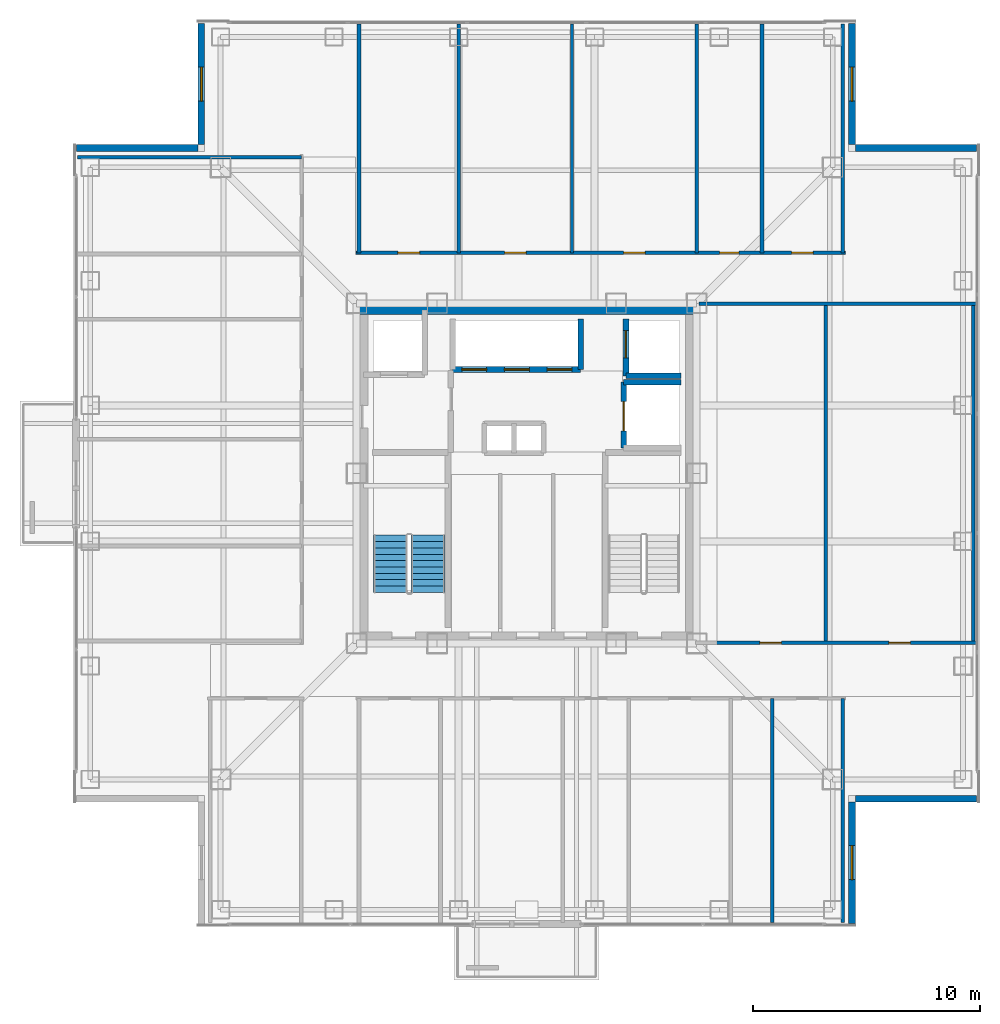
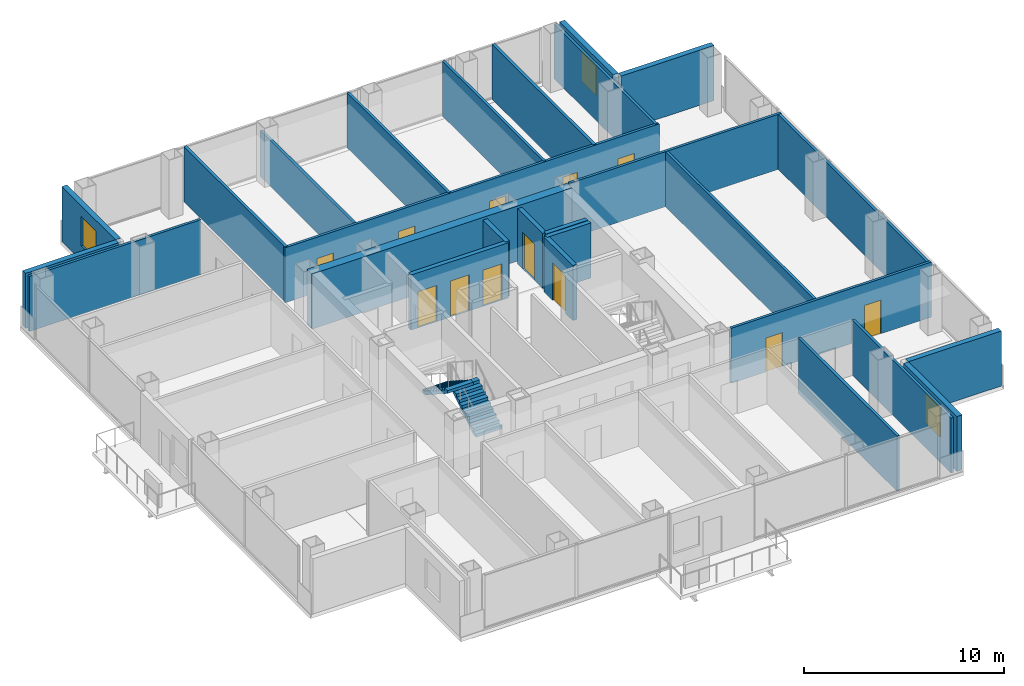
# One storey, part 12 of 16: 27 walls, 12 doors, 3 windows, 2 stair flights, 15 openings, 1 element without a shape of its own.
"""IFC4 building model written with IfcOpenShell, lengths in metres."""

from ifc_helpers import new_model, si_unit, direction, frame, frame_2d, origin, place, context, subcontext, project, spatial, polyline, rectangle, outline, extrude, material, layer, layer_set, type_object, element, fill, aggregate, save


model = new_model("IFC4")

# Units and contexts
model_context = context("Model", 3, precision=1e-05, world=origin(), true_north=direction((0.0, 1.0)))
body_context = subcontext(model_context, "Body", "Model", "MODEL_VIEW")
ifc_project = project(units=[si_unit("LENGTHUNIT", "METRE"), si_unit("AREAUNIT", "SQUARE_METRE"), si_unit("VOLUMEUNIT", "CUBIC_METRE"), si_unit("PLANEANGLEUNIT", "RADIAN"), si_unit("MASSUNIT", "GRAM", prefix="KILO")], contexts=[model_context])

# Site, building, storey
site_placement = place(None, origin())
site = spatial("IfcSite", under=ifc_project, at=site_placement, CompositionType="ELEMENT")
building_placement = place(site_placement, origin())
building = spatial("IfcBuilding", under=site, at=building_placement, Name="Trevonay Congress Spire", CompositionType="ELEMENT")
storey_placement = place(building_placement, frame((0.0, 0.0, 177.0)))
storey = spatial("IfcBuildingStorey", under=building, at=storey_placement, Name="L45", CompositionType="ELEMENT", Elevation=177.0)

# Wall
ifc_material_1 = material(Name="Concrete C50/60", Category="concrete")
ifc_layer_1 = layer(ifc_material_1, 0.5, Name="Concrete C50/60")
ifc_layer_set_1 = layer_set([ifc_layer_1], Name="Concrete C50/60")
wall_type_1 = type_object("IfcWallType", Name="WAL-CORE-500", PredefinedType="SHEAR", material=ifc_layer_set_1)
wall_1_placement = place(storey_placement, frame((-7.5, 7.25, 0.0), z_axis=(0.0, 0.0, 1.0), x_axis=(1.0, 0.0, 0.0)))
element("IfcWall", 1, at=wall_1_placement, inside=storey, type_object=wall_type_1, Name="L45 North structural core shear wall", PredefinedType="SHEAR", context=body_context, shape_type="SweptSolid", body=[
    extrude(rectangle(XDim=15.0, YDim=0.5, at=frame_2d((7.5, 0.0))), origin(), (0.0, 0.0, 1.0), 3.360107421875),
])

# Wall, openings, doors
ifc_material_2 = material(Name="Concrete C40/50", Category="concrete")
ifc_layer_2 = layer(ifc_material_2, 0.14990234375, Name="Concrete C40/50")
ifc_layer_set_2 = layer_set([ifc_layer_2], Name="Concrete C40/50")
wall_type_2 = type_object("IfcWallType", Name="WAL-CORR-150", PredefinedType="PARTITIONING", material=ifc_layer_set_2)
wall_2_placement = place(storey_placement, frame((-7.52001953125, 9.72998046875, 0.0), z_axis=(0.0, 0.0, 1.0), x_axis=(1.0, 0.0, 0.0)))
wall_2 = element("IfcWall", 2, at=wall_2_placement, inside=storey, type_object=wall_type_2, Name="L45 interior wall WP-L45N-COR", PredefinedType="PARTITIONING", context=body_context, shape_type="SweptSolid", body=[
    extrude(rectangle(XDim=21.590087890625, YDim=0.14990234375, at=frame_2d((10.794921875, 0.0))), origin(), (0.0, 0.0, 1.0), 3.360107421875),
])
opening_1_placement = place(wall_2_placement, frame((1.844970703125, 0.0, 0.0)))
opening_1 = element("IfcOpeningElement", 3, at=opening_1_placement, cuts=wall_2, Name="Opening D07", PredefinedType="OPENING", context=body_context, shape_type="SweptSolid", body=[
    extrude(rectangle(XDim=0.949951171875, YDim=2.06005859375, at=frame_2d((0.47509765625, 1.030029296875))), frame((0.0, 0.0849609375, 0.0), z_axis=(0.0, -1.0, 0.0), x_axis=(1.0, 0.0, 0.0)), (0.0, 0.0, 1.0), 0.169921875),
])
opening_2_placement = place(wall_2_placement, frame((6.544921875, 0.0, 0.0)))
opening_2 = element("IfcOpeningElement", 4, at=opening_2_placement, cuts=wall_2, Name="Opening D07", PredefinedType="OPENING", context=body_context, shape_type="SweptSolid", body=[
    extrude(rectangle(XDim=0.949951171875, YDim=2.06005859375, at=frame_2d((0.47509765625, 1.030029296875))), frame((0.0, 0.0849609375, 0.0), z_axis=(0.0, -1.0, 0.0), x_axis=(1.0, 0.0, 0.0)), (0.0, 0.0, 1.0), 0.169921875),
])
opening_3_placement = place(wall_2_placement, frame((11.794921875, 0.0, 0.0)))
opening_3 = element("IfcOpeningElement", 5, at=opening_3_placement, cuts=wall_2, Name="Opening D07", PredefinedType="OPENING", context=body_context, shape_type="SweptSolid", body=[
    extrude(rectangle(XDim=0.949951171875, YDim=2.06005859375, at=frame_2d((0.47509765625, 1.030029296875))), frame((0.0, 0.0849609375, 0.0), z_axis=(0.0, -1.0, 0.0), x_axis=(1.0, 0.0, 0.0)), (0.0, 0.0, 1.0), 0.169921875),
])
opening_4_placement = place(wall_2_placement, frame((16.034912109375, 0.0, 0.0)))
opening_4 = element("IfcOpeningElement", 6, at=opening_4_placement, cuts=wall_2, Name="Opening D10", PredefinedType="OPENING", context=body_context, shape_type="SweptSolid", body=[
    extrude(rectangle(XDim=0.85009765625, YDim=2.050048828125, at=frame_2d((0.425048828125, 1.02490234375))), frame((0.0, 0.0849609375, 0.0), z_axis=(0.0, -1.0, 0.0), x_axis=(1.0, 0.0, 0.0)), (0.0, 0.0, 1.0), 0.169921875),
])
opening_5_placement = place(wall_2_placement, frame((19.2099609375, 0.0, 0.0)))
opening_5 = element("IfcOpeningElement", 7, at=opening_5_placement, cuts=wall_2, Name="Opening D07", PredefinedType="OPENING", context=body_context, shape_type="SweptSolid", body=[
    extrude(rectangle(XDim=0.949951171875, YDim=2.06005859375, at=frame_2d((0.47509765625, 1.030029296875))), frame((0.0, 0.0849609375, 0.0), z_axis=(0.0, -1.0, 0.0), x_axis=(1.0, 0.0, 0.0)), (0.0, 0.0, 1.0), 0.169921875),
])
ifc_material_3 = material(Name="Pale Anodised Aluminium EN AW-6063-T6", Category="aluminium")
door_type_1 = type_object("IfcDoorType", Name="DOR-OFFICE-95", OperationType="NOTDEFINED", PredefinedType="DOOR", material=ifc_material_3)
door_1_placement = place(opening_1_placement, origin())
door_1 = element("IfcDoor", 8, at=door_1_placement, inside=storey, type_object=door_type_1, Name="L45 Tax Counsel Office 8 Door", OperationType="SINGLE_SWING_RIGHT", OverallHeight=2.06005859375, OverallWidth=0.949951171875, PredefinedType="DOOR", context=body_context, shape_type="SweptSolid", body=[
    extrude(rectangle(XDim=0.949951171875, YDim=2.06005859375, at=frame_2d((0.47509765625, 1.030029296875))), frame((0.0, 0.02490234375, 0.0), z_axis=(0.0, -1.0, 0.0), x_axis=(1.0, 0.0, 0.0)), (0.0, 0.0, 1.0), 0.050048828125),
])
fill(opening_1, door_1)
door_2_placement = place(opening_2_placement, origin())
door_2 = element("IfcDoor", 9, at=door_2_placement, inside=storey, type_object=door_type_1, Name="L45 Compliance Office 9 Door", OperationType="SINGLE_SWING_LEFT", OverallHeight=2.06005859375, OverallWidth=0.949951171875, PredefinedType="DOOR", context=body_context, shape_type="SweptSolid", body=[
    extrude(rectangle(XDim=0.949951171875, YDim=2.06005859375, at=frame_2d((0.47509765625, 1.030029296875))), frame((0.0, 0.02490234375, 0.0), z_axis=(0.0, -1.0, 0.0), x_axis=(1.0, 0.0, 0.0)), (0.0, 0.0, 1.0), 0.050048828125),
])
fill(opening_2, door_2)
door_3_placement = place(opening_3_placement, origin())
door_3 = element("IfcDoor", 10, at=door_3_placement, inside=storey, type_object=door_type_1, Name="L45 Billing Office 10 Door", OperationType="SINGLE_SWING_RIGHT", OverallHeight=2.06005859375, OverallWidth=0.949951171875, PredefinedType="DOOR", context=body_context, shape_type="SweptSolid", body=[
    extrude(rectangle(XDim=0.949951171875, YDim=2.06005859375, at=frame_2d((0.47509765625, 1.030029296875))), frame((0.0, 0.02490234375, 0.0), z_axis=(0.0, -1.0, 0.0), x_axis=(1.0, 0.0, 0.0)), (0.0, 0.0, 1.0), 0.050048828125),
])
fill(opening_3, door_3)
door_4_placement = place(opening_5_placement, origin())
door_4 = element("IfcDoor", 11, at=door_4_placement, inside=storey, type_object=door_type_1, Name="L45 Floor Supplies and Copy Room Door", OperationType="SINGLE_SWING_RIGHT", OverallHeight=2.06005859375, OverallWidth=0.949951171875, PredefinedType="DOOR", context=body_context, shape_type="SweptSolid", body=[
    extrude(rectangle(XDim=0.949951171875, YDim=2.06005859375, at=frame_2d((0.47509765625, 1.030029296875))), frame((0.0, 0.02490234375, 0.0), z_axis=(0.0, -1.0, 0.0), x_axis=(1.0, 0.0, 0.0)), (0.0, 0.0, 1.0), 0.050048828125),
])
fill(opening_5, door_4)
door_type_2 = type_object("IfcDoorType", Name="DOR-WC-85", OperationType="NOTDEFINED", PredefinedType="DOOR", material=ifc_material_3)
door_5_placement = place(opening_4_placement, origin())
door_5 = element("IfcDoor", 12, at=door_5_placement, inside=storey, type_object=door_type_2, Name="L45 Female Restroom WC Door", OperationType="SINGLE_SWING_LEFT", OverallHeight=2.050048828125, OverallWidth=0.85009765625, PredefinedType="DOOR", context=body_context, shape_type="SweptSolid", body=[
    extrude(rectangle(XDim=0.85009765625, YDim=2.050048828125, at=frame_2d((0.425048828125, 1.02490234375))), frame((0.0, 0.02490234375, 0.0), z_axis=(0.0, -1.0, 0.0), x_axis=(1.0, 0.0, 0.0)), (0.0, 0.0, 1.0), 0.050048828125),
])
fill(opening_4, door_5)

wall_3_placement = place(storey_placement, frame((8.280029296875, -7.47998046875, 0.0), z_axis=(0.0, 0.0, 1.0), x_axis=(1.0, 0.0, 0.0)))
wall_3 = element("IfcWall", 13, at=wall_3_placement, inside=storey, type_object=wall_type_2, Name="L45 interior wall WP-L45E-COR", PredefinedType="PARTITIONING", context=body_context, shape_type="SweptSolid", body=[
    extrude(rectangle(XDim=11.5400390625, YDim=0.14990234375, at=frame_2d((5.77001953125, 0.0))), origin(), (0.0, 0.0, 1.0), 3.360107421875),
])
opening_6_placement = place(wall_3_placement, frame((2.0048828125, 0.0, 0.0)))
opening_6 = element("IfcOpeningElement", 14, at=opening_6_placement, cuts=wall_3, Name="Opening D07", PredefinedType="OPENING", context=body_context, shape_type="SweptSolid", body=[
    extrude(rectangle(XDim=0.949951171875, YDim=2.06005859375, at=frame_2d((0.47509765625, 1.030029296875))), frame((0.0, 0.0849609375, 0.0), z_axis=(0.0, -1.0, 0.0), x_axis=(1.0, 0.0, 0.0)), (0.0, 0.0, 1.0), 0.169921875),
])
opening_7_placement = place(wall_3_placement, frame((7.695068359375, 0.0, 0.0)))
opening_7 = element("IfcOpeningElement", 15, at=opening_7_placement, cuts=wall_3, Name="Opening D07", PredefinedType="OPENING", context=body_context, shape_type="SweptSolid", body=[
    extrude(rectangle(XDim=0.949951171875, YDim=2.06005859375, at=frame_2d((0.47509765625, 1.030029296875))), frame((0.0, 0.0849609375, 0.0), z_axis=(0.0, -1.0, 0.0), x_axis=(1.0, 0.0, 0.0)), (0.0, 0.0, 1.0), 0.169921875),
])
door_6_placement = place(opening_6_placement, origin())
door_6 = element("IfcDoor", 16, at=door_6_placement, inside=storey, type_object=door_type_1, Name="L45 Chambers Espresso Kitchen Door", OperationType="SINGLE_SWING_LEFT", OverallHeight=2.06005859375, OverallWidth=0.949951171875, PredefinedType="DOOR", context=body_context, shape_type="SweptSolid", body=[
    extrude(rectangle(XDim=0.949951171875, YDim=2.06005859375, at=frame_2d((0.47509765625, 1.030029296875))), frame((0.0, 0.02490234375, 0.0), z_axis=(0.0, -1.0, 0.0), x_axis=(1.0, 0.0, 0.0)), (0.0, 0.0, 1.0), 0.050048828125),
])
fill(opening_6, door_6)
door_7_placement = place(opening_7_placement, origin())
door_7 = element("IfcDoor", 17, at=door_7_placement, inside=storey, type_object=door_type_1, Name="L45 Law Copy Room Door", OperationType="SINGLE_SWING_RIGHT", OverallHeight=2.06005859375, OverallWidth=0.949951171875, PredefinedType="DOOR", context=body_context, shape_type="SweptSolid", body=[
    extrude(rectangle(XDim=0.949951171875, YDim=2.06005859375, at=frame_2d((0.47509765625, 1.030029296875))), frame((0.0, 0.02490234375, 0.0), z_axis=(0.0, -1.0, 0.0), x_axis=(1.0, 0.0, 0.0)), (0.0, 0.0, 1.0), 0.050048828125),
])
fill(opening_7, door_7)

# Wall, opening, window
ifc_material_4 = material(Name="Precast concrete C40/50", Category="concrete")
ifc_layer_3 = layer(ifc_material_4, 0.300048828125, Name="Precast concrete C40/50")
ifc_layer_set_3 = layer_set([ifc_layer_3], Name="Precast concrete C40/50")
wall_type_3 = type_object("IfcWallType", Name="WAL-EXT-PRECAST-300", PredefinedType="SOLIDWALL", material=ifc_layer_set_3)
wall_4_placement = place(storey_placement, frame((14.35009765625, -19.85009765625, 0.0), z_axis=(0.0, 0.0, 1.0), x_axis=(0.0, 1.0, 0.0)))
wall_4 = element("IfcWall", 18, at=wall_4_placement, inside=storey, type_object=wall_type_3, Name="L45 SE re-entrant notch exterior wall 1", PredefinedType="SOLIDWALL", context=body_context, shape_type="SweptSolid", body=[
    extrude(rectangle(XDim=5.35009765625, YDim=0.300048828125, at=frame_2d((2.675048828125, 0.0))), origin(), (0.0, 0.0, 1.0), 3.360107421875),
])
opening_8_placement = place(wall_4_placement, frame((1.925048828125, 0.0, 0.89990234375)))
opening_8 = element("IfcOpeningElement", 19, at=opening_8_placement, cuts=wall_4, Name="Opening WN03", PredefinedType="OPENING", context=body_context, shape_type="SweptSolid", body=[
    extrude(rectangle(XDim=1.5, YDim=1.800048828125, at=frame_2d((0.75, 0.89990234375))), frame((0.0, 0.16015625, 0.0), z_axis=(0.0, -1.0, 0.0), x_axis=(1.0, 0.0, 0.0)), (0.0, 0.0, 1.0), 0.320068359375),
])
ifc_material_5 = material(Name="Insulated Low-E Vision Glass IGU", Category="glass")
window_type = type_object("IfcWindowType", Name="WIN-NOTCH-150X180", PartitioningType="SINGLE_PANEL", PredefinedType="WINDOW", material=ifc_material_5)
window_1_placement = place(opening_8_placement, origin())
window_1 = element("IfcWindow", 20, at=window_1_placement, inside=storey, type_object=window_type, Name="L45 SE corner notch window", OverallHeight=1.800048828125, OverallWidth=1.5, PartitioningType="SINGLE_PANEL", PredefinedType="WINDOW", context=body_context, shape_type="SweptSolid", body=[
    extrude(rectangle(XDim=1.5, YDim=1.800048828125, at=frame_2d((0.75, 0.89990234375))), frame((0.0, 0.030029296875, 0.0), z_axis=(0.0, -1.0, 0.0), x_axis=(1.0, 0.0, 0.0)), (0.0, 0.0, 1.0), 0.06005859375),
])
fill(opening_8, window_1)

# Wall
wall_5_placement = place(storey_placement, frame((19.85009765625, -14.35009765625, 0.0), z_axis=(0.0, 0.0, 1.0), x_axis=(-1.0, 0.0, 0.0)))
element("IfcWall", 21, at=wall_5_placement, inside=storey, type_object=wall_type_3, Name="L45 SE re-entrant notch exterior wall 2", PredefinedType="SOLIDWALL", context=body_context, shape_type="SweptSolid", body=[
    extrude(rectangle(XDim=5.35009765625, YDim=0.300048828125, at=frame_2d((2.675048828125, 0.0))), origin(), (0.0, 0.0, 1.0), 3.360107421875),
])

# Wall, opening, window
wall_6_placement = place(storey_placement, frame((14.35009765625, 19.85009765625, 0.0), z_axis=(0.0, 0.0, 1.0), x_axis=(0.0, -1.0, 0.0)))
wall_6 = element("IfcWall", 22, at=wall_6_placement, inside=storey, type_object=wall_type_3, Name="L45 NE re-entrant notch exterior wall 1", PredefinedType="SOLIDWALL", context=body_context, shape_type="SweptSolid", body=[
    extrude(rectangle(XDim=5.35009765625, YDim=0.300048828125, at=frame_2d((2.675048828125, 0.0))), origin(), (0.0, 0.0, 1.0), 3.360107421875),
])
opening_9_placement = place(wall_6_placement, frame((1.925048828125, 0.0, 0.89990234375)))
opening_9 = element("IfcOpeningElement", 23, at=opening_9_placement, cuts=wall_6, Name="Opening WN03", PredefinedType="OPENING", context=body_context, shape_type="SweptSolid", body=[
    extrude(rectangle(XDim=1.5, YDim=1.800048828125, at=frame_2d((0.75, 0.89990234375))), frame((0.0, 0.16015625, 0.0), z_axis=(0.0, -1.0, 0.0), x_axis=(1.0, 0.0, 0.0)), (0.0, 0.0, 1.0), 0.320068359375),
])
window_2_placement = place(opening_9_placement, origin())
window_2 = element("IfcWindow", 24, at=window_2_placement, inside=storey, type_object=window_type, Name="L45 NE corner notch window", OverallHeight=1.800048828125, OverallWidth=1.5, PartitioningType="SINGLE_PANEL", PredefinedType="WINDOW", context=body_context, shape_type="SweptSolid", body=[
    extrude(rectangle(XDim=1.5, YDim=1.800048828125, at=frame_2d((0.75, 0.89990234375))), frame((0.0, 0.030029296875, 0.0), z_axis=(0.0, -1.0, 0.0), x_axis=(1.0, 0.0, 0.0)), (0.0, 0.0, 1.0), 0.06005859375),
])
fill(opening_9, window_2)

# Wall
wall_7_placement = place(storey_placement, frame((19.85009765625, 14.35009765625, 0.0), z_axis=(0.0, 0.0, 1.0), x_axis=(-1.0, 0.0, 0.0)))
element("IfcWall", 25, at=wall_7_placement, inside=storey, type_object=wall_type_3, Name="L45 NE re-entrant notch exterior wall 2", PredefinedType="SOLIDWALL", context=body_context, shape_type="SweptSolid", body=[
    extrude(rectangle(XDim=5.35009765625, YDim=0.300048828125, at=frame_2d((2.675048828125, 0.0))), origin(), (0.0, 0.0, 1.0), 3.360107421875),
])

# Wall, opening, window
wall_8_placement = place(storey_placement, frame((-14.35009765625, 19.85009765625, 0.0), z_axis=(0.0, 0.0, 1.0), x_axis=(0.0, -1.0, 0.0)))
wall_8 = element("IfcWall", 26, at=wall_8_placement, inside=storey, type_object=wall_type_3, Name="L45 NW re-entrant notch exterior wall 1", PredefinedType="SOLIDWALL", context=body_context, shape_type="SweptSolid", body=[
    extrude(rectangle(XDim=5.35009765625, YDim=0.300048828125, at=frame_2d((2.675048828125, 0.0))), origin(), (0.0, 0.0, 1.0), 3.360107421875),
])
opening_10_placement = place(wall_8_placement, frame((1.925048828125, 0.0, 0.89990234375)))
opening_10 = element("IfcOpeningElement", 27, at=opening_10_placement, cuts=wall_8, Name="Opening WN03", PredefinedType="OPENING", context=body_context, shape_type="SweptSolid", body=[
    extrude(rectangle(XDim=1.5, YDim=1.800048828125, at=frame_2d((0.75, 0.89990234375))), frame((0.0, 0.16015625, 0.0), z_axis=(0.0, -1.0, 0.0), x_axis=(1.0, 0.0, 0.0)), (0.0, 0.0, 1.0), 0.320068359375),
])
window_3_placement = place(opening_10_placement, origin())
window_3 = element("IfcWindow", 28, at=window_3_placement, inside=storey, type_object=window_type, Name="L45 NW corner notch window", OverallHeight=1.800048828125, OverallWidth=1.5, PartitioningType="SINGLE_PANEL", PredefinedType="WINDOW", context=body_context, shape_type="SweptSolid", body=[
    extrude(rectangle(XDim=1.5, YDim=1.800048828125, at=frame_2d((0.75, 0.89990234375))), frame((0.0, 0.030029296875, 0.0), z_axis=(0.0, -1.0, 0.0), x_axis=(1.0, 0.0, 0.0)), (0.0, 0.0, 1.0), 0.06005859375),
])
fill(opening_10, window_3)

# Walls
wall_9_placement = place(storey_placement, frame((-19.85009765625, 14.35009765625, 0.0), z_axis=(0.0, 0.0, 1.0), x_axis=(1.0, 0.0, 0.0)))
element("IfcWall", 29, at=wall_9_placement, inside=storey, type_object=wall_type_3, Name="L45 NW re-entrant notch exterior wall 2", PredefinedType="SOLIDWALL", context=body_context, shape_type="SweptSolid", body=[
    extrude(rectangle(XDim=5.35009765625, YDim=0.300048828125, at=frame_2d((2.675048828125, 0.0))), origin(), (0.0, 0.0, 1.0), 3.360107421875),
])
ifc_layer_4 = layer(ifc_material_2, 0.14990234375, Name="Concrete C40/50")
ifc_layer_set_4 = layer_set([ifc_layer_4], Name="Concrete C40/50")
wall_type_4 = type_object("IfcWallType", Name="WAL-PART-150", PredefinedType="PARTITIONING", material=ifc_layer_set_4)
for number, where, z_axis, x_axis, name in (
    (30, (13.949951171875, -19.820068359375, 0.0), (0.0, 0.0, 1.0), (0.0, 1.0, 0.0), "L45 interior wall WP-L45SE-DIV6"),
    (31, (-19.820068359375, 13.949951171875, 0.0), (0.0, 0.0, 1.0), (1.0, 0.0, 0.0), "L45 interior wall WP-L45NW-DIV5"),
):
    element("IfcWall", number, at=place(storey_placement, frame(where, z_axis=z_axis, x_axis=x_axis)), inside=storey, type_object=wall_type_4, Name=name, PredefinedType="PARTITIONING", context=body_context, shape_type="SweptSolid", body=[
        extrude(rectangle(XDim=9.89013671875, YDim=0.14990234375, at=frame_2d((4.945068359375, 0.0))), origin(), (0.0, 0.0, 1.0), 3.360107421875),
    ])
for number, where, z_axis, x_axis, name in (
    (32, (2.0, 9.72998046875, 0.0), (0.0, 0.0, 1.0), (0.0, 1.0, 0.0), "L45 interior wall WP-L45N-DIV3"),
    (33, (7.5, 9.72998046875, 0.0), (0.0, 0.0, 1.0), (0.0, 1.0, 0.0), "L45 interior wall WP-L45N-DIV4"),
    (34, (13.949951171875, 9.72998046875, 0.0), (0.0, 0.0, 1.0), (0.0, 1.0, 0.0), "L45 interior wall WP-L45N-DIV5"),
):
    element("IfcWall", number, at=place(storey_placement, frame(where, z_axis=z_axis, x_axis=x_axis)), inside=storey, type_object=wall_type_4, Name=name, PredefinedType="PARTITIONING", context=body_context, shape_type="SweptSolid", body=[
        extrude(rectangle(XDim=10.090087890625, YDim=0.14990234375, at=frame_2d((5.044921875, 0.0))), origin(), (0.0, 0.0, 1.0), 3.360107421875),
    ])
for number, where, z_axis, x_axis, name in (
    (35, (13.199951171875, -7.47998046875, 0.0), (0.0, 0.0, 1.0), (0.0, 1.0, 0.0), "L45 interior wall WP-L45E-DIV1"),
    (36, (19.699951171875, -7.47998046875, 0.0), (0.0, 0.0, 1.0), (0.0, 1.0, 0.0), "L45 interior wall WP-L45E-DIV2"),
):
    element("IfcWall", number, at=place(storey_placement, frame(where, z_axis=z_axis, x_axis=x_axis)), inside=storey, type_object=wall_type_4, Name=name, PredefinedType="PARTITIONING", context=body_context, shape_type="SweptSolid", body=[
        extrude(rectangle(XDim=14.89990234375, YDim=0.14990234375, at=frame_2d((7.449951171875, 0.0))), origin(), (0.0, 0.0, 1.0), 3.360107421875),
    ])
wall_10_placement = place(storey_placement, frame((7.60009765625, 7.47998046875, 0.0), z_axis=(0.0, 0.0, 1.0), x_axis=(1.0, 0.0, 0.0)))
element("IfcWall", 37, at=wall_10_placement, inside=storey, type_object=wall_type_4, Name="L45 interior wall WP-L45E-NCLS", PredefinedType="PARTITIONING", context=body_context, shape_type="SweptSolid", body=[
    extrude(rectangle(XDim=12.219970703125, YDim=0.14990234375, at=frame_2d((6.10986328125, 0.0))), origin(), (0.0, 0.0, 1.0), 3.360107421875),
])

# Wall, openings, doors
ifc_layer_5 = layer(ifc_material_2, 0.25, Name="Concrete C40/50")
ifc_layer_set_5 = layer_set([ifc_layer_5], Name="Concrete C40/50")
wall_type_5 = type_object("IfcWallType", Name="WAL-SHAFT-250", PredefinedType="SHEAR", material=ifc_layer_set_5)
wall_11_placement = place(storey_placement, frame((-3.260009765625, 4.580078125, 0.0), z_axis=(0.0, 0.0, 1.0), x_axis=(1.0, 0.0, 0.0)))
wall_11 = element("IfcWall", 38, at=wall_11_placement, inside=storey, type_object=wall_type_5, Name="L45 interior shaft wall WSH-L45-B3-S", PredefinedType="SHEAR", context=body_context, shape_type="SweptSolid", body=[
    extrude(rectangle(XDim=5.639892578125, YDim=0.25, at=frame_2d((2.81982421875, 0.0))), origin(), (0.0, 0.0, 1.0), 3.360107421875),
])
opening_11_placement = place(wall_11_placement, frame((0.39990234375, 0.0, 0.0)))
opening_11 = element("IfcOpeningElement", 39, at=opening_11_placement, cuts=wall_11, Name="Opening LD03", PredefinedType="OPENING", context=body_context, shape_type="SweptSolid", body=[
    extrude(rectangle(XDim=1.10009765625, YDim=2.199951171875, at=frame_2d((0.550048828125, 1.10009765625))), frame((0.0, 0.135009765625, 0.0), z_axis=(0.0, -1.0, 0.0), x_axis=(1.0, 0.0, 0.0)), (0.0, 0.0, 1.0), 0.27001953125),
])
opening_12_placement = place(wall_11_placement, frame((2.280029296875, 0.0, 0.0)))
opening_12 = element("IfcOpeningElement", 40, at=opening_12_placement, cuts=wall_11, Name="Opening LD03", PredefinedType="OPENING", context=body_context, shape_type="SweptSolid", body=[
    extrude(rectangle(XDim=1.10009765625, YDim=2.199951171875, at=frame_2d((0.550048828125, 1.10009765625))), frame((0.0, 0.135009765625, 0.0), z_axis=(0.0, -1.0, 0.0), x_axis=(1.0, 0.0, 0.0)), (0.0, 0.0, 1.0), 0.27001953125),
])
opening_13_placement = place(wall_11_placement, frame((4.159912109375, 0.0, 0.0)))
opening_13 = element("IfcOpeningElement", 41, at=opening_13_placement, cuts=wall_11, Name="Opening LD03", PredefinedType="OPENING", context=body_context, shape_type="SweptSolid", body=[
    extrude(rectangle(XDim=1.10009765625, YDim=2.199951171875, at=frame_2d((0.550048828125, 1.10009765625))), frame((0.0, 0.135009765625, 0.0), z_axis=(0.0, -1.0, 0.0), x_axis=(1.0, 0.0, 0.0)), (0.0, 0.0, 1.0), 0.27001953125),
])
door_type_3 = type_object("IfcDoorType", Name="DOR-LIFT-LD03", OperationType="DOUBLE_DOOR_SLIDING", PredefinedType="DOOR", material=ifc_material_3)
door_8_placement = place(opening_11_placement, origin())
door_8 = element("IfcDoor", 42, at=door_8_placement, inside=storey, type_object=door_type_3, Name="L45 Passenger lift PL-07 landing door", OperationType="DOUBLE_DOOR_SLIDING", OverallHeight=2.199951171875, OverallWidth=1.10009765625, PredefinedType="DOOR", context=body_context, shape_type="SweptSolid", body=[
    extrude(rectangle(XDim=1.10009765625, YDim=2.199951171875, at=frame_2d((0.550048828125, 1.10009765625))), frame((0.0, 0.02490234375, 0.0), z_axis=(0.0, -1.0, 0.0), x_axis=(1.0, 0.0, 0.0)), (0.0, 0.0, 1.0), 0.050048828125),
])
fill(opening_11, door_8)
door_9_placement = place(opening_12_placement, origin())
door_9 = element("IfcDoor", 43, at=door_9_placement, inside=storey, type_object=door_type_3, Name="L45 Passenger lift PL-08 landing door", OperationType="DOUBLE_DOOR_SLIDING", OverallHeight=2.199951171875, OverallWidth=1.10009765625, PredefinedType="DOOR", context=body_context, shape_type="SweptSolid", body=[
    extrude(rectangle(XDim=1.10009765625, YDim=2.199951171875, at=frame_2d((0.550048828125, 1.10009765625))), frame((0.0, 0.02490234375, 0.0), z_axis=(0.0, -1.0, 0.0), x_axis=(1.0, 0.0, 0.0)), (0.0, 0.0, 1.0), 0.050048828125),
])
fill(opening_12, door_9)
door_10_placement = place(opening_13_placement, origin())
door_10 = element("IfcDoor", 44, at=door_10_placement, inside=storey, type_object=door_type_3, Name="L45 Passenger lift PL-09 landing door", OperationType="DOUBLE_DOOR_SLIDING", OverallHeight=2.199951171875, OverallWidth=1.10009765625, PredefinedType="DOOR", context=body_context, shape_type="SweptSolid", body=[
    extrude(rectangle(XDim=1.10009765625, YDim=2.199951171875, at=frame_2d((0.550048828125, 1.10009765625))), frame((0.0, 0.02490234375, 0.0), z_axis=(0.0, -1.0, 0.0), x_axis=(1.0, 0.0, 0.0)), (0.0, 0.0, 1.0), 0.050048828125),
])
fill(opening_13, door_10)

# Walls
wall_12_placement = place(storey_placement, frame((2.3798828125, 4.580078125, 0.0), z_axis=(0.0, 0.0, 1.0), x_axis=(0.0, 1.0, 0.0)))
element("IfcWall", 45, at=wall_12_placement, inside=storey, type_object=wall_type_5, Name="L45 interior shaft wall WSH-L45-B3-E", PredefinedType="SHEAR", context=body_context, shape_type="SweptSolid", body=[
    extrude(rectangle(XDim=2.219970703125, YDim=0.25, at=frame_2d((1.10986328125, 0.0))), origin(), (0.0, 0.0, 1.0), 3.360107421875),
])
wall_13_placement = place(storey_placement, frame((4.3798828125, 4.300048828125, 0.0), z_axis=(0.0, 0.0, 1.0), x_axis=(1.0, 0.0, 0.0)))
element("IfcWall", 46, at=wall_13_placement, inside=storey, type_object=wall_type_5, Name="L45 interior shaft wall WSH-L45-FF2-S", PredefinedType="SHEAR", context=body_context, shape_type="SweptSolid", body=[
    extrude(rectangle(XDim=2.420166015625, YDim=0.25, at=frame_2d((1.2099609375, 0.0))), origin(), (0.0, 0.0, 1.0), 3.360107421875),
])

# Wall, opening, door
wall_14_placement = place(storey_placement, frame((4.3798828125, 4.300048828125, 0.0), z_axis=(0.0, 0.0, 1.0), x_axis=(0.0, 1.0, 0.0)))
wall_14 = element("IfcWall", 47, at=wall_14_placement, inside=storey, type_object=wall_type_5, Name="L45 interior shaft wall WSH-L45-FF2-W", PredefinedType="SHEAR", context=body_context, shape_type="SweptSolid", body=[
    extrude(rectangle(XDim=2.5, YDim=0.25, at=frame_2d((1.25, 0.0))), origin(), (0.0, 0.0, 1.0), 3.360107421875),
])
opening_14_placement = place(wall_14_placement, frame((0.800048828125, 0.0, 0.0)))
opening_14 = element("IfcOpeningElement", 48, at=opening_14_placement, cuts=wall_14, Name="Opening LD04", PredefinedType="OPENING", context=body_context, shape_type="SweptSolid", body=[
    extrude(rectangle(XDim=1.199951171875, YDim=2.199951171875, at=frame_2d((0.60009765625, 1.10009765625))), frame((0.0, 0.135009765625, 0.0), z_axis=(0.0, -1.0, 0.0), x_axis=(1.0, 0.0, 0.0)), (0.0, 0.0, 1.0), 0.27001953125),
])
ifc_material_6 = material(Name="Steel ASTM A572 Grade 50", Category="steel")
door_type_4 = type_object("IfcDoorType", Name="DOR-LIFT-LD04", OperationType="DOUBLE_DOOR_SLIDING", PredefinedType="DOOR", material=ifc_material_6)
door_11_placement = place(opening_14_placement, origin())
door_11 = element("IfcDoor", 49, at=door_11_placement, inside=storey, type_object=door_type_4, Name="L45 Firefighting lift FFL-02 landing door", OperationType="DOUBLE_DOOR_SLIDING", OverallHeight=2.199951171875, OverallWidth=1.199951171875, PredefinedType="DOOR", context=body_context, shape_type="SweptSolid", body=[
    extrude(rectangle(XDim=1.199951171875, YDim=2.199951171875, at=frame_2d((0.60009765625, 1.10009765625))), frame((0.0, 0.02490234375, 0.0), z_axis=(0.0, -1.0, 0.0), x_axis=(1.0, 0.0, 0.0)), (0.0, 0.0, 1.0), 0.050048828125),
])
fill(opening_14, door_11)

wall_15_placement = place(storey_placement, frame((4.280029296875, 1.1201171875, 0.0), z_axis=(0.0, 0.0, 1.0), x_axis=(0.0, 1.0, 0.0)))
wall_15 = element("IfcWall", 50, at=wall_15_placement, inside=storey, type_object=wall_type_5, Name="L45 interior shaft wall WSH-L45-SV-W", PredefinedType="SHEAR", context=body_context, shape_type="SweptSolid", body=[
    extrude(rectangle(XDim=2.89990234375, YDim=0.25, at=frame_2d((1.449951171875, 0.0))), origin(), (0.0, 0.0, 1.0), 3.360107421875),
])
opening_15_placement = place(wall_15_placement, frame((0.75, 0.0, 0.0)))
opening_15 = element("IfcOpeningElement", 51, at=opening_15_placement, cuts=wall_15, Name="Opening LD05", PredefinedType="OPENING", context=body_context, shape_type="SweptSolid", body=[
    extrude(rectangle(XDim=1.300048828125, YDim=2.300048828125, at=frame_2d((0.64990234375, 1.14990234375))), frame((0.0, 0.135009765625, 0.0), z_axis=(0.0, -1.0, 0.0), x_axis=(1.0, 0.0, 0.0)), (0.0, 0.0, 1.0), 0.27001953125),
])
door_type_5 = type_object("IfcDoorType", Name="DOR-LIFT-LD05", OperationType="DOUBLE_DOOR_SLIDING", PredefinedType="DOOR", material=ifc_material_6)
door_12_placement = place(opening_15_placement, origin())
door_12 = element("IfcDoor", 52, at=door_12_placement, inside=storey, type_object=door_type_5, Name="L45 Goods lift SVL-01 landing door", OperationType="DOUBLE_DOOR_SLIDING", OverallHeight=2.300048828125, OverallWidth=1.300048828125, PredefinedType="DOOR", context=body_context, shape_type="SweptSolid", body=[
    extrude(rectangle(XDim=1.300048828125, YDim=2.300048828125, at=frame_2d((0.64990234375, 1.14990234375))), frame((0.0, 0.02490234375, 0.0), z_axis=(0.0, -1.0, 0.0), x_axis=(1.0, 0.0, 0.0)), (0.0, 0.0, 1.0), 0.050048828125),
])
fill(opening_15, door_12)

# Walls
wall_16_placement = place(storey_placement, frame((4.280029296875, 4.02001953125, 0.0), z_axis=(0.0, 0.0, 1.0), x_axis=(1.0, 0.0, 0.0)))
element("IfcWall", 53, at=wall_16_placement, inside=storey, type_object=wall_type_5, Name="L45 interior shaft wall WSH-L45-SV-N", PredefinedType="SHEAR", context=body_context, shape_type="SweptSolid", body=[
    extrude(rectangle(XDim=2.52001953125, YDim=0.25, at=frame_2d((1.260009765625, 0.0))), origin(), (0.0, 0.0, 1.0), 3.360107421875),
])
ifc_layer_6 = layer(ifc_material_2, 0.1650390625, Name="Concrete C40/50")
ifc_layer_set_6 = layer_set([ifc_layer_6], Name="Concrete C40/50")
wall_type_6 = type_object("IfcWallType", Name="WAL-WET-165", PredefinedType="PLUMBINGWALL", material=ifc_layer_set_6)
wall_17_placement = place(storey_placement, frame((10.830078125, -19.820068359375, 0.0), z_axis=(0.0, 0.0, 1.0), x_axis=(0.0, 1.0, 0.0)))
element("IfcWall", 54, at=wall_17_placement, inside=storey, type_object=wall_type_6, Name="L45 interior wall WP-L45SE-WCS5", PredefinedType="PLUMBINGWALL", context=body_context, shape_type="SweptSolid", body=[
    extrude(rectangle(XDim=9.89013671875, YDim=0.1650390625, at=frame_2d((4.945068359375, 0.0))), origin(), (0.0, 0.0, 1.0), 3.360107421875),
])
for number, where, z_axis, x_axis, name in (
    (55, (10.3798828125, 9.72998046875, 0.0), (0.0, 0.0, 1.0), (0.0, 1.0, 0.0), "L45 interior wall WP-L45N-WCS4"),
    (56, (-7.39990234375, 9.72998046875, 0.0), (0.0, 0.0, 1.0), (0.0, 1.0, 0.0), "L45 interior wall WP-L45N-DIV1"),
):
    element("IfcWall", number, at=place(storey_placement, frame(where, z_axis=z_axis, x_axis=x_axis)), inside=storey, type_object=wall_type_6, Name=name, PredefinedType="PLUMBINGWALL", context=body_context, shape_type="SweptSolid", body=[
        extrude(rectangle(XDim=10.090087890625, YDim=0.1650390625, at=frame_2d((5.044921875, 0.0))), origin(), (0.0, 0.0, 1.0), 3.360107421875),
    ])
wall_18_placement = place(storey_placement, frame((-3.0, 9.72998046875, 0.0), z_axis=(0.0, 0.0, 1.0), x_axis=(0.0, 1.0, 0.0)))
element("IfcWall", 57, at=wall_18_placement, inside=storey, type_object=wall_type_6, Name="L45 interior wall WP-L45N-DIV2", PredefinedType="PLUMBINGWALL", context=body_context, shape_type="SweptSolid", body=[
    extrude(rectangle(XDim=10.090087890625, YDim=0.1650390625, at=frame_2d((5.044921875, 0.0))), origin(), (0.0, 0.0, 1.0), 2.7919921875),
])

# Stair, stair flights
stair_type = type_object("IfcStairType", Name="STR-ST-1", PredefinedType="HALF_TURN_STAIR", material=ifc_material_2)
stair_placement = place(storey_placement, origin())
stair = element("IfcStair", 58, at=stair_placement, inside=storey, type_object=stair_type, Name="L45 Protected Exit Stair ST-1", PredefinedType="HALF_TURN_STAIR")
stair_flight_type = type_object("IfcStairFlightType", Name="SFL-ST-1", PredefinedType="STRAIGHT", material=ifc_material_2)
stair_flight_1_placement = place(storey_placement, frame((-4.35009765625, -5.25, 0.0), z_axis=(0.0, 0.0, 1.0), x_axis=(0.0, 1.0, 0.0)))
stair_flight_1 = element("IfcStairFlight", 59, at=stair_flight_1_placement, type_object=stair_flight_type, Name="ST-1 flight 1", NumberOfRisers=10, NumberOfTreads=9, PredefinedType="STRAIGHT", RiserHeight=0.18, TreadLength=0.28, context=body_context, shape_type="SweptSolid", body=[
    extrude(outline(polyline([(0.0, 0.0), (0.0, 0.179931640625), (0.280029296875, 0.179931640625), (0.280029296875, 0.360107421875), (0.56005859375, 0.360107421875), (0.56005859375, 0.5400390625), (0.840087890625, 0.5400390625), (0.840087890625, 0.719970703125), (1.1201171875, 0.719970703125), (1.1201171875, 0.89990234375), (1.39990234375, 0.89990234375), (1.39990234375, 1.080078125), (1.679931640625, 1.080078125), (1.679931640625, 1.260009765625), (1.9599609375, 1.260009765625), (1.9599609375, 1.43994140625), (2.239990234375, 1.43994140625), (2.239990234375, 1.6201171875), (2.52001953125, 1.6201171875), (2.52001953125, 1.800048828125), (2.52001953125, 1.44189453125), (0.277099609375, 0.0), (0.0, 0.0)])), frame((0.0, 0.75, 0.0), z_axis=(0.0, -1.0, 0.0), x_axis=(1.0, 0.0, 0.0)), (0.0, 0.0, 1.0), 1.5),
])
stair_flight_2_placement = place(storey_placement, frame((-6.0, -2.72998046875, 1.800048828125), z_axis=(0.0, 0.0, 1.0), x_axis=(0.0, -1.0, 0.0)))
stair_flight_2 = element("IfcStairFlight", 60, at=stair_flight_2_placement, type_object=stair_flight_type, Name="ST-1 flight 2", NumberOfRisers=10, NumberOfTreads=9, PredefinedType="STRAIGHT", RiserHeight=0.18, TreadLength=0.28, context=body_context, shape_type="SweptSolid", body=[
    extrude(outline(polyline([(0.0, 0.0), (0.0, 0.179931640625), (0.280029296875, 0.179931640625), (0.280029296875, 0.360107421875), (0.56005859375, 0.360107421875), (0.56005859375, 0.5400390625), (0.840087890625, 0.5400390625), (0.840087890625, 0.719970703125), (1.1201171875, 0.719970703125), (1.1201171875, 0.89990234375), (1.39990234375, 0.89990234375), (1.39990234375, 1.080078125), (1.679931640625, 1.080078125), (1.679931640625, 1.260009765625), (1.9599609375, 1.260009765625), (1.9599609375, 1.43994140625), (2.239990234375, 1.43994140625), (2.239990234375, 1.6201171875), (2.52001953125, 1.6201171875), (2.52001953125, 1.800048828125), (2.52001953125, 1.44189453125), (0.277099609375, 0.0), (0.0, 0.0)])), frame((0.0, 0.75, 0.0), z_axis=(0.0, -1.0, 0.0), x_axis=(1.0, 0.0, 0.0)), (0.0, 0.0, 1.0), 1.5),
])
aggregate(stair, [stair_flight_1, stair_flight_2])

save(model, "model.ifc")
